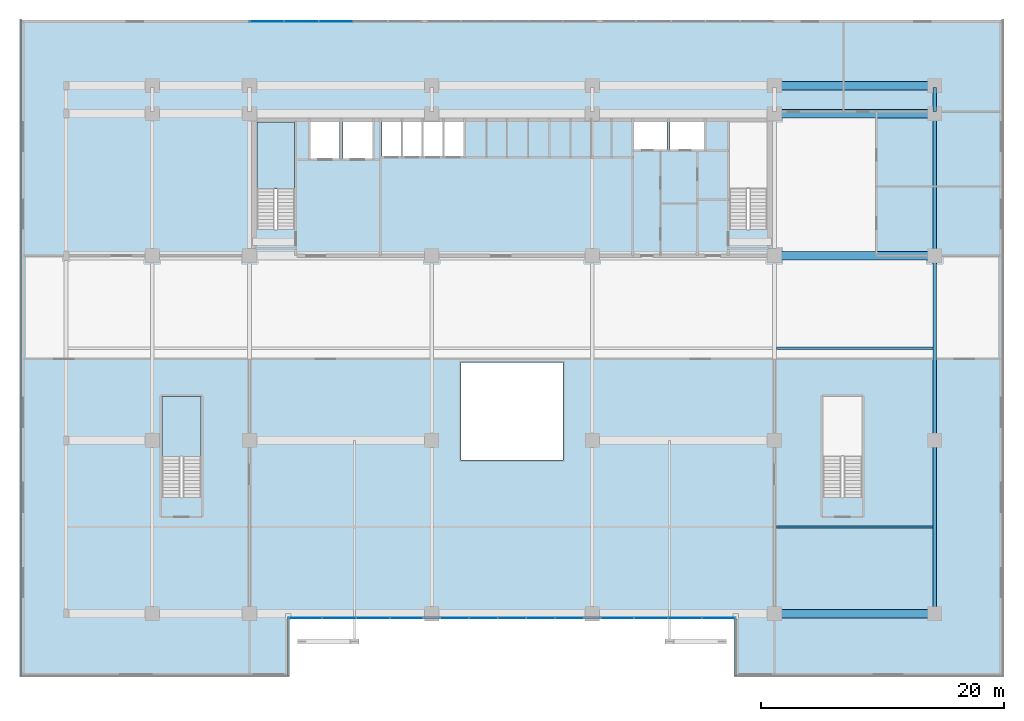
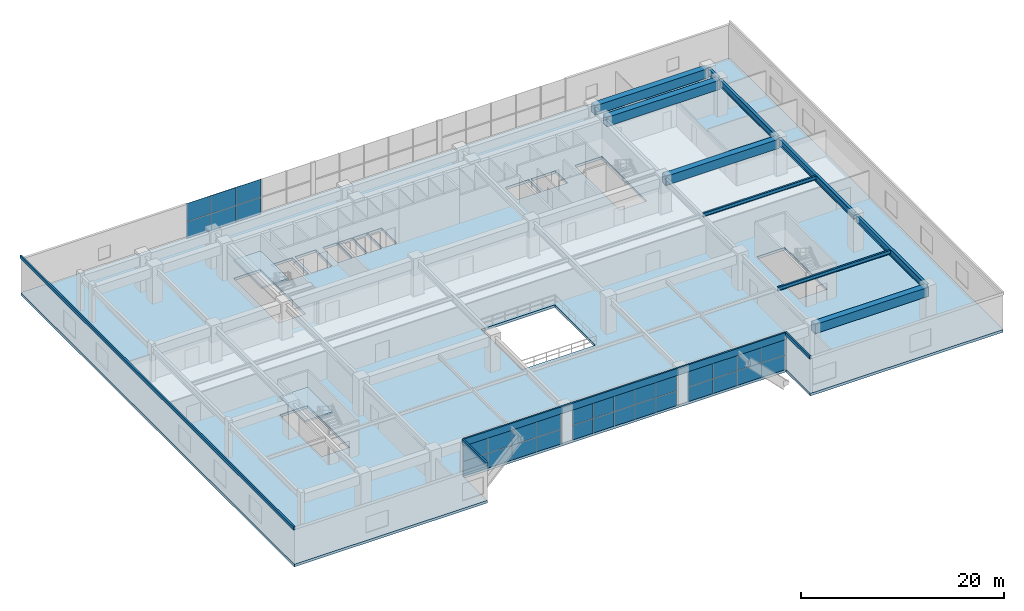
# One storey, part 12 of 24: 36 plates, 10 beams, 3 slabs, 6 elements without a shape of their own.
"""IFC4 building model written with IfcOpenShell, lengths in metres."""

from ifc_helpers import new_model, si_unit, direction, frame, origin, origin_2d, place, context, subcontext, project, spatial, polyline, rectangle, i_section, outline, extrude, source, transform, mapped, material, layer, layer_set, material_profile, profile_set, type_object, element, aggregate, save


model = new_model("IFC4")

# Units and contexts
model_context = context("Model", 3, precision=1e-05, world=origin(), true_north=direction((0.0, 1.0)))
body_context = subcontext(model_context, "Body", "Model", "MODEL_VIEW")
ifc_project = project(units=[si_unit("LENGTHUNIT", "METRE"), si_unit("AREAUNIT", "SQUARE_METRE"), si_unit("VOLUMEUNIT", "CUBIC_METRE"), si_unit("PLANEANGLEUNIT", "RADIAN"), si_unit("MASSUNIT", "GRAM", prefix="KILO")], contexts=[model_context])

# Site, building, storey
site_placement = place(None, origin())
site = spatial("IfcSite", under=ifc_project, at=site_placement, CompositionType="ELEMENT")
building_placement = place(site_placement, origin())
building = spatial("IfcBuilding", under=site, at=building_placement, Name="Trelvane Seafront Commons", CompositionType="ELEMENT")
storey_placement = place(building_placement, frame((0.0, 0.0, 5.199951171875)))
storey = spatial("IfcBuildingStorey", under=building, at=storey_placement, Name="L01", CompositionType="ELEMENT", Elevation=5.199951171875)

# Beams
ifc_material_1 = material(Name="Concrete C50/60", Category="concrete")
ifc_material_profile_1 = material_profile(ifc_material_1, rectangle(XDim=0.699951171875, YDim=1.10009765625, at=origin_2d()), Name="RC-700x1100")
ifc_profile_set_1 = profile_set([ifc_material_profile_1], Name="Concrete C50/60")
beam_type_1 = type_object("IfcBeamType", Name="STR-TBM-RC700x1100", PredefinedType="T_BEAM", material=ifc_profile_set_1)
shared_shape_1 = source(origin(), body_context, "Body", "SweptSolid", [
    extrude(rectangle(XDim=0.699951171875, YDim=1.10009765625, at=origin_2d()), origin(), (0.0, 0.0, 1.0), 12.900146484375),
])
for number, where, z_axis, x_axis, name in (
    (1, (58.949951171875, 3.949951171875, 3.650146484375), (1.0, 0.0, 0.0), (0.0, 1.0, 0.0), "L01 Primary Girder G-06"),
    (2, (58.949951171875, 33.39990234375, 3.650146484375), (1.0, 0.0, 0.0), (0.0, 1.0, 0.0), "L01 Primary Girder G-18"),
    (3, (58.949951171875, 45.10009765625, 3.650146484375), (1.0, 0.0, 0.0), (0.0, 1.0, 0.0), "L01 Primary Girder G-24"),
    (4, (58.949951171875, 47.39990234375, 3.650146484375), (1.0, 0.0, 0.0), (0.0, 1.0, 0.0), "L01 Primary Girder G-30"),
):
    element("IfcBeam", number, at=place(storey_placement, frame(where, z_axis=z_axis, x_axis=x_axis)), inside=storey, type_object=beam_type_1, Name=name, PredefinedType="T_BEAM", context=body_context, shape_type="MappedRepresentation", body=[
        mapped(shared_shape_1, transform((0.0, 0.0, 0.0), x_axis=(1.0, 0.0, 0.0), y_axis=(0.0, 1.0, 0.0), z_axis=(0.0, 0.0, 1.0), scale=1.0)),
    ])
ifc_material_2 = material(Name="Steel SM355 (S355)", Category="steel")
ifc_material_profile_2 = material_profile(ifc_material_2, i_section(OverallWidth=0.300048828125, OverallDepth=0.800048828125, WebThickness=0.013916015625, FlangeThickness=0.02587890625, at=origin_2d()), Name="H-800x300x14x26")
ifc_profile_set_2 = profile_set([ifc_material_profile_2], Name="Steel SM355 (S355)")
beam_type_2 = type_object("IfcBeamType", Name="STR-BM-H800", PredefinedType="BEAM", material=ifc_profile_set_2)
shared_shape_2 = source(origin(), body_context, "Body", "SweptSolid", [
    extrude(i_section(OverallWidth=0.300048828125, OverallDepth=0.800048828125, WebThickness=0.013916015625, FlangeThickness=0.02587890625, at=origin_2d()), origin(), (0.0, 0.0, 1.0), 13.949951171875),
])
beam_1_placement = place(storey_placement, frame((72.0, 4.10009765625, 3.800048828125), z_axis=(0.0, 1.0, 0.0), x_axis=(-1.0, 0.0, 0.0)))
element("IfcBeam", 5, at=beam_1_placement, inside=storey, type_object=beam_type_2, Name="L01 Primary Girder G-55", PredefinedType="BEAM", context=body_context, shape_type="MappedRepresentation", body=[
    mapped(shared_shape_2, transform((0.0, 0.0, 0.0), x_axis=(1.0, 0.0, 0.0), y_axis=(0.0, 1.0, 0.0), z_axis=(0.0, 0.0, 1.0), scale=1.0)),
])
shared_shape_3 = source(origin(), body_context, "Body", "SweptSolid", [
    extrude(i_section(OverallWidth=0.300048828125, OverallDepth=0.800048828125, WebThickness=0.013916015625, FlangeThickness=0.02587890625, at=origin_2d()), origin(), (0.0, 0.0, 1.0), 14.89990234375),
])
beam_2_placement = place(storey_placement, frame((72.0, 18.35009765625, 3.800048828125), z_axis=(0.0, 1.0, 0.0), x_axis=(-1.0, 0.0, 0.0)))
element("IfcBeam", 6, at=beam_2_placement, inside=storey, type_object=beam_type_2, Name="L01 Primary Girder G-56", PredefinedType="BEAM", context=body_context, shape_type="MappedRepresentation", body=[
    mapped(shared_shape_3, transform((0.0, 0.0, 0.0), x_axis=(1.0, 0.0, 0.0), y_axis=(0.0, 1.0, 0.0), z_axis=(0.0, 0.0, 1.0), scale=1.0)),
])
shared_shape_4 = source(origin(), body_context, "Body", "SweptSolid", [
    extrude(i_section(OverallWidth=0.300048828125, OverallDepth=0.800048828125, WebThickness=0.013916015625, FlangeThickness=0.02587890625, at=origin_2d()), origin(), (0.0, 0.0, 1.0), 11.39990234375),
])
beam_3_placement = place(storey_placement, frame((72.0, 33.550048828125, 3.800048828125), z_axis=(0.0, 1.0, 0.0), x_axis=(-1.0, 0.0, 0.0)))
element("IfcBeam", 7, at=beam_3_placement, inside=storey, type_object=beam_type_2, Name="L01 Primary Girder G-57", PredefinedType="BEAM", context=body_context, shape_type="MappedRepresentation", body=[
    mapped(shared_shape_4, transform((0.0, 0.0, 0.0), x_axis=(1.0, 0.0, 0.0), y_axis=(0.0, 1.0, 0.0), z_axis=(0.0, 0.0, 1.0), scale=1.0)),
])
shared_shape_5 = source(origin(), body_context, "Body", "SweptSolid", [
    extrude(i_section(OverallWidth=0.300048828125, OverallDepth=0.800048828125, WebThickness=0.013916015625, FlangeThickness=0.02587890625, at=origin_2d()), origin(), (0.0, 0.0, 1.0), 2.0),
])
beam_4_placement = place(storey_placement, frame((72.0, 45.25, 3.800048828125), z_axis=(0.0, 1.0, 0.0), x_axis=(-1.0, 0.0, 0.0)))
element("IfcBeam", 8, at=beam_4_placement, inside=storey, type_object=beam_type_2, Name="L01 Primary Girder G-58", PredefinedType="BEAM", context=body_context, shape_type="MappedRepresentation", body=[
    mapped(shared_shape_5, transform((0.0, 0.0, 0.0), x_axis=(1.0, 0.0, 0.0), y_axis=(0.0, 1.0, 0.0), z_axis=(0.0, 0.0, 1.0), scale=1.0)),
])
ifc_material_profile_3 = material_profile(ifc_material_2, i_section(OverallWidth=0.199951171875, OverallDepth=0.449951171875, WebThickness=0.009033203125, FlangeThickness=0.013916015625, at=origin_2d()), Name="H-450x200x9x14")
ifc_profile_set_3 = profile_set([ifc_material_profile_3], Name="Steel SM355 (S355)")
beam_type_3 = type_object("IfcBeamType", Name="STR-JST-H450", PredefinedType="JOIST", material=ifc_profile_set_3)
shared_shape_6 = source(origin(), body_context, "Body", "SweptSolid", [
    extrude(i_section(OverallWidth=0.199951171875, OverallDepth=0.449951171875, WebThickness=0.009033203125, FlangeThickness=0.013916015625, at=origin_2d()), origin(), (0.0, 0.0, 1.0), 12.900146484375),
])
for number, where, z_axis, x_axis, name in (
    (9, (58.949951171875, 11.074951171875, 3.97509765625), (1.0, 0.0, 0.0), (0.0, 1.0, 0.0), "L01 Secondary Floor Joist B-64"),
    (10, (58.949951171875, 25.800048828125, 3.97509765625), (1.0, 0.0, 0.0), (0.0, 1.0, 0.0), "L01 Secondary Floor Joist B-70"),
):
    element("IfcBeam", number, at=place(storey_placement, frame(where, z_axis=z_axis, x_axis=x_axis)), inside=storey, type_object=beam_type_3, Name=name, PredefinedType="JOIST", context=body_context, shape_type="MappedRepresentation", body=[
        mapped(shared_shape_6, transform((0.0, 0.0, 0.0), x_axis=(1.0, 0.0, 0.0), y_axis=(0.0, 1.0, 0.0), z_axis=(0.0, 0.0, 1.0), scale=1.0)),
    ])

# Stair, slab
ifc_material_3 = material(Name="Concrete C40/50", Category="concrete")
stair_type_1 = type_object("IfcStairType", Name="ARCH-STR-ST-1-R26-173", PredefinedType="HALF_TURN_STAIR", material=ifc_material_3)
stair_1_placement = place(storey_placement, origin())
stair_1 = element("IfcStair", 11, at=stair_1_placement, inside=storey, type_object=stair_type_1, Name="L01 West Protected Firefighting Exit Stair ST-1", PredefinedType="HALF_TURN_STAIR")
ifc_layer_1 = layer(ifc_material_3, 0.199951171875, Name="ARCH-LND-200")
ifc_layer_set_1 = layer_set([ifc_layer_1], Name="Concrete C40/50")
slab_type_1 = type_object("IfcSlabType", Name="ARCH-LND-200", PredefinedType="LANDING", material=ifc_layer_set_1)
slab_1_placement = place(storey_placement, frame((0.0, 0.0, 2.050048828125)))
slab_1 = element("IfcSlab", 12, at=slab_1_placement, type_object=slab_type_1, Name="ST-1 landing 1", PredefinedType="LANDING", context=body_context, shape_type="SweptSolid", body=[
    extrude(outline(polyline([(19.300048828125, 38.909912109375), (19.300048828125, 44.39990234375), (16.199951171875, 44.39990234375), (16.199951171875, 38.909912109375), (19.300048828125, 38.909912109375)])), origin(), (0.0, 0.0, 1.0), 0.199951171875),
])
aggregate(stair_1, [slab_1])

stair_type_2 = type_object("IfcStairType", Name="ARCH-STR-ST-3-R26-173", PredefinedType="HALF_TURN_STAIR", material=ifc_material_3)
stair_2_placement = place(storey_placement, origin())
stair_2 = element("IfcStair", 13, at=stair_2_placement, inside=storey, type_object=stair_type_2, Name="L01 Podium Commons West Promenade Stair ST-3", PredefinedType="HALF_TURN_STAIR")
slab_2_placement = place(storey_placement, frame((0.0, 0.0, 2.050048828125)))
slab_2 = element("IfcSlab", 14, at=slab_2_placement, type_object=slab_type_1, Name="ST-3 landing 1", PredefinedType="LANDING", context=body_context, shape_type="SweptSolid", body=[
    extrude(outline(polyline([(11.60009765625, 16.860107421875), (11.60009765625, 21.800048828125), (8.39990234375, 21.800048828125), (8.39990234375, 16.860107421875), (11.60009765625, 16.860107421875)])), origin(), (0.0, 0.0, 1.0), 0.199951171875),
])
aggregate(stair_2, [slab_2])

# Slab
ifc_layer_2 = layer(ifc_material_1, 0.300048828125, Name="STR-SLB-P300")
ifc_layer_set_2 = layer_set([ifc_layer_2], Name="Concrete C50/60")
slab_type_2 = type_object("IfcSlabType", Name="STR-SLB-P300", PredefinedType="FLOOR", material=ifc_layer_set_2)
slab_3_placement = place(storey_placement, frame((0.0, 0.0, -0.320068359375)))
element("IfcSlab", 15, at=slab_3_placement, inside=storey, type_object=slab_type_2, Name="L01 Structural Floor Slab", PredefinedType="FLOOR", context=body_context, shape_type="SweptSolid", body=[
    extrude(outline(polyline([(-3.199951171875, -1.199951171875), (18.800048828125, -1.199951171875), (18.800048828125, 3.60009765625), (55.60009765625, 3.60009765625), (55.60009765625, -1.199951171875), (77.60009765625, -1.199951171875), (77.60009765625, 52.800048828125), (-3.199951171875, 52.800048828125), (-3.199951171875, -1.199951171875)]), holes=[polyline([(11.60009765625, 13.5), (8.39990234375, 13.5), (8.39990234375, 21.800048828125), (11.60009765625, 21.800048828125), (11.60009765625, 13.5)]), polyline([(16.199951171875, 35.550048828125), (16.199951171875, 44.39990234375), (19.300048828125, 44.39990234375), (19.300048828125, 35.550048828125), (16.199951171875, 35.550048828125)]), polyline([(20.60009765625, 41.39990234375), (20.60009765625, 44.60009765625), (23.0, 44.60009765625), (23.0, 41.39990234375), (20.60009765625, 41.39990234375)]), polyline([(25.699951171875, 41.39990234375), (23.300048828125, 41.39990234375), (23.300048828125, 44.60009765625), (25.699951171875, 44.60009765625), (25.699951171875, 41.39990234375)]), polyline([(26.5, 41.60009765625), (26.5, 44.60009765625), (28.1201171875, 44.60009765625), (28.1201171875, 41.60009765625), (26.5, 41.60009765625)]), polyline([(28.199951171875, 41.60009765625), (28.199951171875, 44.60009765625), (29.820068359375, 44.60009765625), (29.820068359375, 41.60009765625), (28.199951171875, 41.60009765625)]), polyline([(31.52001953125, 41.60009765625), (29.89990234375, 41.60009765625), (29.89990234375, 44.60009765625), (31.52001953125, 44.60009765625), (31.52001953125, 41.60009765625)]), polyline([(62.800048828125, 13.5), (62.800048828125, 21.800048828125), (66.0, 21.800048828125), (66.0, 13.5), (62.800048828125, 13.5)]), polyline([(33.0, 16.60009765625), (33.0, 24.60009765625), (41.39990234375, 24.60009765625), (41.39990234375, 16.60009765625), (33.0, 16.60009765625)]), polyline([(55.10009765625, 35.550048828125), (55.10009765625, 44.39990234375), (58.199951171875, 44.39990234375), (58.199951171875, 35.550048828125), (55.10009765625, 35.550048828125)]), polyline([(31.60009765625, 41.60009765625), (31.60009765625, 44.60009765625), (33.219970703125, 44.60009765625), (33.219970703125, 41.60009765625), (31.60009765625, 41.60009765625)]), polyline([(47.25, 42.14990234375), (47.25, 44.550048828125), (49.949951171875, 44.550048828125), (49.949951171875, 42.14990234375), (47.25, 42.14990234375)]), polyline([(50.199951171875, 42.14990234375), (50.199951171875, 44.550048828125), (53.0, 44.550048828125), (53.0, 42.14990234375), (50.199951171875, 42.14990234375)])]), origin(), (0.0, 0.0, 1.0), 0.320068359375),
])

# Curtain wall, plates
ifc_material_4 = material(Name="Anodised pale-silver aluminium", Category="aluminium")
curtain_wall_type = type_object("IfcCurtainWallType", Name="ARCH-CW1-PODIUM", PredefinedType="NOTDEFINED", material=ifc_material_4)
curtain_wall_1_placement = place(storey_placement, origin())
curtain_wall_1 = element("IfcCurtainWall", 16, at=curtain_wall_1_placement, inside=storey, type_object=curtain_wall_type, Name="CW-L01-0007", PredefinedType="NOTDEFINED")
ifc_material_5 = material(Name="Low-E coastal double glazing", Category="glass")
ifc_layer_3 = layer(ifc_material_5, 0.033935546875, Name="ARCH-CW-GLAZ-34")
ifc_layer_set_3 = layer_set([ifc_layer_3], Name="Low-E coastal double glazing")
plate_type_1 = type_object("IfcPlateType", Name="ARCH-CW-GLAZ-34", PredefinedType="CURTAIN_PANEL", material=ifc_layer_set_3)
shared_shape_7 = source(origin(), body_context, "Body", "SweptSolid", [
    extrude(rectangle(XDim=2.81591796875, YDim=0.035888671875, at=origin_2d()), origin(), (0.0, 0.0, 1.0), 1.998046875),
])
plate_1_placement = place(storey_placement, frame((17.02001953125, 52.669921875, 0.0), z_axis=(0.0, 0.0, 1.0), x_axis=(1.0, 0.0, 0.0)))
plate_1 = element("IfcPlate", 17, at=plate_1_placement, type_object=plate_type_1, Name="CW-L01-0007-P00-1", PredefinedType="CURTAIN_PANEL", context=body_context, shape_type="MappedRepresentation", body=[
    mapped(shared_shape_7, transform((0.0, 0.0, 0.0), x_axis=(1.0, 0.0, 0.0), y_axis=(0.0, 1.0, 0.0), z_axis=(0.0, 0.0, 1.0), scale=1.0)),
])
plate_2_placement = place(storey_placement, frame((19.860107421875, 52.669921875, 0.0), z_axis=(0.0, 0.0, 1.0), x_axis=(1.0, 0.0, 0.0)))
plate_2 = element("IfcPlate", 18, at=plate_2_placement, type_object=plate_type_1, Name="CW-L01-0007-P01-1", PredefinedType="CURTAIN_PANEL", context=body_context, shape_type="MappedRepresentation", body=[
    mapped(shared_shape_7, transform((0.0, 0.0, 0.0), x_axis=(1.0, 0.0, 0.0), y_axis=(0.0, 1.0, 0.0), z_axis=(0.0, 0.0, 1.0), scale=1.0)),
])
plate_3_placement = place(storey_placement, frame((22.699951171875, 52.669921875, 0.0), z_axis=(0.0, 0.0, 1.0), x_axis=(1.0, 0.0, 0.0)))
plate_3 = element("IfcPlate", 19, at=plate_3_placement, type_object=plate_type_1, Name="CW-L01-0007-P02-1", PredefinedType="CURTAIN_PANEL", context=body_context, shape_type="MappedRepresentation", body=[
    mapped(shared_shape_7, transform((0.0, 0.0, 0.0), x_axis=(1.0, 0.0, 0.0), y_axis=(0.0, 1.0, 0.0), z_axis=(0.0, 0.0, 1.0), scale=1.0)),
])
shared_shape_8 = source(origin(), body_context, "Body", "SweptSolid", [
    extrude(rectangle(XDim=2.81591796875, YDim=0.035888671875, at=origin_2d()), origin(), (0.0, 0.0, 1.0), 2.166015625),
])
plate_4_placement = place(storey_placement, frame((17.02001953125, 52.669921875, 2.033935546875), z_axis=(0.0, 0.0, 1.0), x_axis=(1.0, 0.0, 0.0)))
plate_4 = element("IfcPlate", 20, at=plate_4_placement, type_object=plate_type_1, Name="CW-L01-0007-P00-2", PredefinedType="CURTAIN_PANEL", context=body_context, shape_type="MappedRepresentation", body=[
    mapped(shared_shape_8, transform((0.0, 0.0, 0.0), x_axis=(1.0, 0.0, 0.0), y_axis=(0.0, 1.0, 0.0), z_axis=(0.0, 0.0, 1.0), scale=1.0)),
])
plate_5_placement = place(storey_placement, frame((19.860107421875, 52.669921875, 2.033935546875), z_axis=(0.0, 0.0, 1.0), x_axis=(1.0, 0.0, 0.0)))
plate_5 = element("IfcPlate", 21, at=plate_5_placement, type_object=plate_type_1, Name="CW-L01-0007-P01-2", PredefinedType="CURTAIN_PANEL", context=body_context, shape_type="MappedRepresentation", body=[
    mapped(shared_shape_8, transform((0.0, 0.0, 0.0), x_axis=(1.0, 0.0, 0.0), y_axis=(0.0, 1.0, 0.0), z_axis=(0.0, 0.0, 1.0), scale=1.0)),
])
plate_6_placement = place(storey_placement, frame((22.699951171875, 52.669921875, 2.033935546875), z_axis=(0.0, 0.0, 1.0), x_axis=(1.0, 0.0, 0.0)))
plate_6 = element("IfcPlate", 22, at=plate_6_placement, type_object=plate_type_1, Name="CW-L01-0007-P02-2", PredefinedType="CURTAIN_PANEL", context=body_context, shape_type="MappedRepresentation", body=[
    mapped(shared_shape_8, transform((0.0, 0.0, 0.0), x_axis=(1.0, 0.0, 0.0), y_axis=(0.0, 1.0, 0.0), z_axis=(0.0, 0.0, 1.0), scale=1.0)),
])
aggregate(curtain_wall_1, [plate_1, plate_4, plate_2, plate_5, plate_3, plate_6])

# Plates
ifc_layer_4 = layer(ifc_material_4, 0.179931640625, Name="ARCH-PLATE-AERO")
ifc_layer_set_4 = layer_set([ifc_layer_4], Name="Anodised pale-silver aluminium")
plate_type_2 = type_object("IfcPlateType", Name="ARCH-PLATE-AERO", PredefinedType="SHEET", material=ifc_layer_set_4)
shared_shape_9 = source(origin(), body_context, "Body", "SweptSolid", [
    extrude(rectangle(XDim=54.0, YDim=0.179931640625, at=origin_2d()), origin(), (0.0, 0.0, 1.0), 0.3798828125),
])
plate_7_placement = place(storey_placement, frame((-3.199951171875, 25.800048828125, 4.14013671875), z_axis=(0.0, 0.0, 1.0), x_axis=(0.0, 1.0, 0.0)))
element("IfcPlate", 23, at=plate_7_placement, inside=storey, type_object=plate_type_2, Name="AER-L01-00006", PredefinedType="SHEET", context=body_context, shape_type="MappedRepresentation", body=[
    mapped(shared_shape_9, transform((0.0, 0.0, 0.0), x_axis=(1.0, 0.0, 0.0), y_axis=(0.0, 1.0, 0.0), z_axis=(0.0, 0.0, 1.0), scale=1.0)),
])
shared_shape_10 = source(origin(), body_context, "Body", "SweptSolid", [
    extrude(rectangle(XDim=4.800048828125, YDim=0.179931640625, at=origin_2d()), origin(), (0.0, 0.0, 1.0), 0.3798828125),
])
for number, where, z_axis, x_axis, name in (
    (24, (55.60009765625, 1.199951171875, 4.14013671875), (0.0, 0.0, 1.0), (0.0, 1.0, 0.0), "AER-L01-00003"),
    (25, (18.800048828125, 1.199951171875, 4.14013671875), (0.0, 0.0, 1.0), (0.0, -1.0, 0.0), "AER-L01-00005"),
):
    element("IfcPlate", number, at=place(storey_placement, frame(where, z_axis=z_axis, x_axis=x_axis)), inside=storey, type_object=plate_type_2, Name=name, PredefinedType="SHEET", context=body_context, shape_type="MappedRepresentation", body=[
        mapped(shared_shape_10, transform((0.0, 0.0, 0.0), x_axis=(1.0, 0.0, 0.0), y_axis=(0.0, 1.0, 0.0), z_axis=(0.0, 0.0, 1.0), scale=1.0)),
    ])

# Curtain wall, plates
curtain_wall_2_placement = place(storey_placement, origin())
curtain_wall_2 = element("IfcCurtainWall", 26, at=curtain_wall_2_placement, inside=storey, type_object=curtain_wall_type, Name="CW-L01-VP-0010", PredefinedType="NOTDEFINED")
shared_shape_11 = source(origin(), body_context, "Body", "SweptSolid", [
    extrude(rectangle(XDim=2.763427734375, YDim=0.035888671875, at=origin_2d()), origin(), (0.0, 0.0, 1.0), 1.748046875),
])
plate_8_placement = place(storey_placement, frame((54.206298828125, 3.60009765625, 0.0), z_axis=(0.0, 0.0, 1.0), x_axis=(-1.0, 0.0, 0.0)))
plate_8 = element("IfcPlate", 27, at=plate_8_placement, type_object=plate_type_1, Name="CW-L01-VP-0010-P00-1", PredefinedType="CURTAIN_PANEL", context=body_context, shape_type="MappedRepresentation", body=[
    mapped(shared_shape_11, transform((0.0, 0.0, 0.0), x_axis=(1.0, 0.0, 0.0), y_axis=(0.0, 1.0, 0.0), z_axis=(0.0, 0.0, 1.0), scale=1.0)),
])
plate_9_placement = place(storey_placement, frame((51.418701171875, 3.60009765625, 0.0), z_axis=(0.0, 0.0, 1.0), x_axis=(-1.0, 0.0, 0.0)))
plate_9 = element("IfcPlate", 28, at=plate_9_placement, type_object=plate_type_1, Name="CW-L01-VP-0010-P01-1", PredefinedType="CURTAIN_PANEL", context=body_context, shape_type="MappedRepresentation", body=[
    mapped(shared_shape_11, transform((0.0, 0.0, 0.0), x_axis=(1.0, 0.0, 0.0), y_axis=(0.0, 1.0, 0.0), z_axis=(0.0, 0.0, 1.0), scale=1.0)),
])
plate_10_placement = place(storey_placement, frame((48.631103515625, 3.60009765625, 0.0), z_axis=(0.0, 0.0, 1.0), x_axis=(-1.0, 0.0, 0.0)))
plate_10 = element("IfcPlate", 29, at=plate_10_placement, type_object=plate_type_1, Name="CW-L01-VP-0010-P02-1", PredefinedType="CURTAIN_PANEL", context=body_context, shape_type="MappedRepresentation", body=[
    mapped(shared_shape_11, transform((0.0, 0.0, 0.0), x_axis=(1.0, 0.0, 0.0), y_axis=(0.0, 1.0, 0.0), z_axis=(0.0, 0.0, 1.0), scale=1.0)),
])
plate_11_placement = place(storey_placement, frame((45.84375, 3.60009765625, 0.0), z_axis=(0.0, 0.0, 1.0), x_axis=(-1.0, 0.0, 0.0)))
plate_11 = element("IfcPlate", 30, at=plate_11_placement, type_object=plate_type_1, Name="CW-L01-VP-0010-P03-1", PredefinedType="CURTAIN_PANEL", context=body_context, shape_type="MappedRepresentation", body=[
    mapped(shared_shape_11, transform((0.0, 0.0, 0.0), x_axis=(1.0, 0.0, 0.0), y_axis=(0.0, 1.0, 0.0), z_axis=(0.0, 0.0, 1.0), scale=1.0)),
])

curtain_wall_3_placement = place(storey_placement, origin())
curtain_wall_3 = element("IfcCurtainWall", 31, at=curtain_wall_3_placement, inside=storey, type_object=curtain_wall_type, Name="CW-L01-VP-0012", PredefinedType="NOTDEFINED")
plate_12_placement = place(storey_placement, frame((28.55615234375, 3.60009765625, 0.0), z_axis=(0.0, 0.0, 1.0), x_axis=(-1.0, 0.0, 0.0)))
plate_12 = element("IfcPlate", 32, at=plate_12_placement, type_object=plate_type_1, Name="CW-L01-VP-0012-P00-1", PredefinedType="CURTAIN_PANEL", context=body_context, shape_type="MappedRepresentation", body=[
    mapped(shared_shape_11, transform((0.0, 0.0, 0.0), x_axis=(1.0, 0.0, 0.0), y_axis=(0.0, 1.0, 0.0), z_axis=(0.0, 0.0, 1.0), scale=1.0)),
])
plate_13_placement = place(storey_placement, frame((25.768798828125, 3.60009765625, 0.0), z_axis=(0.0, 0.0, 1.0), x_axis=(-1.0, 0.0, 0.0)))
plate_13 = element("IfcPlate", 33, at=plate_13_placement, type_object=plate_type_1, Name="CW-L01-VP-0012-P01-1", PredefinedType="CURTAIN_PANEL", context=body_context, shape_type="MappedRepresentation", body=[
    mapped(shared_shape_11, transform((0.0, 0.0, 0.0), x_axis=(1.0, 0.0, 0.0), y_axis=(0.0, 1.0, 0.0), z_axis=(0.0, 0.0, 1.0), scale=1.0)),
])
plate_14_placement = place(storey_placement, frame((22.981201171875, 3.60009765625, 0.0), z_axis=(0.0, 0.0, 1.0), x_axis=(-1.0, 0.0, 0.0)))
plate_14 = element("IfcPlate", 34, at=plate_14_placement, type_object=plate_type_1, Name="CW-L01-VP-0012-P02-1", PredefinedType="CURTAIN_PANEL", context=body_context, shape_type="MappedRepresentation", body=[
    mapped(shared_shape_11, transform((0.0, 0.0, 0.0), x_axis=(1.0, 0.0, 0.0), y_axis=(0.0, 1.0, 0.0), z_axis=(0.0, 0.0, 1.0), scale=1.0)),
])
plate_15_placement = place(storey_placement, frame((20.19384765625, 3.60009765625, 0.0), z_axis=(0.0, 0.0, 1.0), x_axis=(-1.0, 0.0, 0.0)))
plate_15 = element("IfcPlate", 35, at=plate_15_placement, type_object=plate_type_1, Name="CW-L01-VP-0012-P03-1", PredefinedType="CURTAIN_PANEL", context=body_context, shape_type="MappedRepresentation", body=[
    mapped(shared_shape_11, transform((0.0, 0.0, 0.0), x_axis=(1.0, 0.0, 0.0), y_axis=(0.0, 1.0, 0.0), z_axis=(0.0, 0.0, 1.0), scale=1.0)),
])

# Plate
shared_shape_12 = source(origin(), body_context, "Body", "SweptSolid", [
    extrude(rectangle(XDim=2.763427734375, YDim=0.035888671875, at=origin_2d()), origin(), (0.0, 0.0, 1.0), 1.89599609375),
])
plate_16_placement = place(storey_placement, frame((54.206298828125, 3.60009765625, 1.783935546875), z_axis=(0.0, 0.0, 1.0), x_axis=(-1.0, 0.0, 0.0)))
plate_16 = element("IfcPlate", 36, at=plate_16_placement, type_object=plate_type_1, Name="CW-L01-VP-0010-P00-2", PredefinedType="CURTAIN_PANEL", context=body_context, shape_type="MappedRepresentation", body=[
    mapped(shared_shape_12, transform((0.0, 0.0, 0.0), x_axis=(1.0, 0.0, 0.0), y_axis=(0.0, 1.0, 0.0), z_axis=(0.0, 0.0, 1.0), scale=1.0)),
])

plate_17_placement = place(storey_placement, frame((51.418701171875, 3.60009765625, 1.783935546875), z_axis=(0.0, 0.0, 1.0), x_axis=(-1.0, 0.0, 0.0)))
plate_17 = element("IfcPlate", 37, at=plate_17_placement, type_object=plate_type_1, Name="CW-L01-VP-0010-P01-2", PredefinedType="CURTAIN_PANEL", context=body_context, shape_type="MappedRepresentation", body=[
    mapped(shared_shape_12, transform((0.0, 0.0, 0.0), x_axis=(1.0, 0.0, 0.0), y_axis=(0.0, 1.0, 0.0), z_axis=(0.0, 0.0, 1.0), scale=1.0)),
])

plate_18_placement = place(storey_placement, frame((48.631103515625, 3.60009765625, 1.783935546875), z_axis=(0.0, 0.0, 1.0), x_axis=(-1.0, 0.0, 0.0)))
plate_18 = element("IfcPlate", 38, at=plate_18_placement, type_object=plate_type_1, Name="CW-L01-VP-0010-P02-2", PredefinedType="CURTAIN_PANEL", context=body_context, shape_type="MappedRepresentation", body=[
    mapped(shared_shape_12, transform((0.0, 0.0, 0.0), x_axis=(1.0, 0.0, 0.0), y_axis=(0.0, 1.0, 0.0), z_axis=(0.0, 0.0, 1.0), scale=1.0)),
])

plate_19_placement = place(storey_placement, frame((45.84375, 3.60009765625, 1.783935546875), z_axis=(0.0, 0.0, 1.0), x_axis=(-1.0, 0.0, 0.0)))
plate_19 = element("IfcPlate", 39, at=plate_19_placement, type_object=plate_type_1, Name="CW-L01-VP-0010-P03-2", PredefinedType="CURTAIN_PANEL", context=body_context, shape_type="MappedRepresentation", body=[
    mapped(shared_shape_12, transform((0.0, 0.0, 0.0), x_axis=(1.0, 0.0, 0.0), y_axis=(0.0, 1.0, 0.0), z_axis=(0.0, 0.0, 1.0), scale=1.0)),
])

aggregate(curtain_wall_2, [plate_8, plate_16, plate_9, plate_17, plate_10, plate_18, plate_11, plate_19])

plate_20_placement = place(storey_placement, frame((28.55615234375, 3.60009765625, 1.783935546875), z_axis=(0.0, 0.0, 1.0), x_axis=(-1.0, 0.0, 0.0)))
plate_20 = element("IfcPlate", 40, at=plate_20_placement, type_object=plate_type_1, Name="CW-L01-VP-0012-P00-2", PredefinedType="CURTAIN_PANEL", context=body_context, shape_type="MappedRepresentation", body=[
    mapped(shared_shape_12, transform((0.0, 0.0, 0.0), x_axis=(1.0, 0.0, 0.0), y_axis=(0.0, 1.0, 0.0), z_axis=(0.0, 0.0, 1.0), scale=1.0)),
])

plate_21_placement = place(storey_placement, frame((25.768798828125, 3.60009765625, 1.783935546875), z_axis=(0.0, 0.0, 1.0), x_axis=(-1.0, 0.0, 0.0)))
plate_21 = element("IfcPlate", 41, at=plate_21_placement, type_object=plate_type_1, Name="CW-L01-VP-0012-P01-2", PredefinedType="CURTAIN_PANEL", context=body_context, shape_type="MappedRepresentation", body=[
    mapped(shared_shape_12, transform((0.0, 0.0, 0.0), x_axis=(1.0, 0.0, 0.0), y_axis=(0.0, 1.0, 0.0), z_axis=(0.0, 0.0, 1.0), scale=1.0)),
])

plate_22_placement = place(storey_placement, frame((22.981201171875, 3.60009765625, 1.783935546875), z_axis=(0.0, 0.0, 1.0), x_axis=(-1.0, 0.0, 0.0)))
plate_22 = element("IfcPlate", 42, at=plate_22_placement, type_object=plate_type_1, Name="CW-L01-VP-0012-P02-2", PredefinedType="CURTAIN_PANEL", context=body_context, shape_type="MappedRepresentation", body=[
    mapped(shared_shape_12, transform((0.0, 0.0, 0.0), x_axis=(1.0, 0.0, 0.0), y_axis=(0.0, 1.0, 0.0), z_axis=(0.0, 0.0, 1.0), scale=1.0)),
])

plate_23_placement = place(storey_placement, frame((20.19384765625, 3.60009765625, 1.783935546875), z_axis=(0.0, 0.0, 1.0), x_axis=(-1.0, 0.0, 0.0)))
plate_23 = element("IfcPlate", 43, at=plate_23_placement, type_object=plate_type_1, Name="CW-L01-VP-0012-P03-2", PredefinedType="CURTAIN_PANEL", context=body_context, shape_type="MappedRepresentation", body=[
    mapped(shared_shape_12, transform((0.0, 0.0, 0.0), x_axis=(1.0, 0.0, 0.0), y_axis=(0.0, 1.0, 0.0), z_axis=(0.0, 0.0, 1.0), scale=1.0)),
])

aggregate(curtain_wall_3, [plate_12, plate_20, plate_13, plate_21, plate_14, plate_22, plate_15, plate_23])

# Curtain wall, plates
curtain_wall_4_placement = place(storey_placement, origin())
curtain_wall_4 = element("IfcCurtainWall", 44, at=curtain_wall_4_placement, inside=storey, type_object=curtain_wall_type, Name="CW-L01-VP-0011", PredefinedType="NOTDEFINED")
shared_shape_13 = source(origin(), body_context, "Body", "SweptSolid", [
    extrude(rectangle(XDim=2.35595703125, YDim=0.035888671875, at=origin_2d()), origin(), (0.0, 0.0, 1.0), 1.748046875),
])
plate_24_placement = place(storey_placement, frame((41.9599609375, 3.60009765625, 0.0), z_axis=(0.0, 0.0, 1.0), x_axis=(-1.0, 0.0, 0.0)))
plate_24 = element("IfcPlate", 45, at=plate_24_placement, type_object=plate_type_1, Name="CW-L01-VP-0011-P00-1", PredefinedType="CURTAIN_PANEL", context=body_context, shape_type="MappedRepresentation", body=[
    mapped(shared_shape_13, transform((0.0, 0.0, 0.0), x_axis=(1.0, 0.0, 0.0), y_axis=(0.0, 1.0, 0.0), z_axis=(0.0, 0.0, 1.0), scale=1.0)),
])
plate_25_placement = place(storey_placement, frame((39.580078125, 3.60009765625, 0.0), z_axis=(0.0, 0.0, 1.0), x_axis=(-1.0, 0.0, 0.0)))
plate_25 = element("IfcPlate", 46, at=plate_25_placement, type_object=plate_type_1, Name="CW-L01-VP-0011-P01-1", PredefinedType="CURTAIN_PANEL", context=body_context, shape_type="MappedRepresentation", body=[
    mapped(shared_shape_13, transform((0.0, 0.0, 0.0), x_axis=(1.0, 0.0, 0.0), y_axis=(0.0, 1.0, 0.0), z_axis=(0.0, 0.0, 1.0), scale=1.0)),
])
plate_26_placement = place(storey_placement, frame((37.199951171875, 3.60009765625, 0.0), z_axis=(0.0, 0.0, 1.0), x_axis=(-1.0, 0.0, 0.0)))
plate_26 = element("IfcPlate", 47, at=plate_26_placement, type_object=plate_type_1, Name="CW-L01-VP-0011-P02-1", PredefinedType="CURTAIN_PANEL", context=body_context, shape_type="MappedRepresentation", body=[
    mapped(shared_shape_13, transform((0.0, 0.0, 0.0), x_axis=(1.0, 0.0, 0.0), y_axis=(0.0, 1.0, 0.0), z_axis=(0.0, 0.0, 1.0), scale=1.0)),
])
plate_27_placement = place(storey_placement, frame((34.820068359375, 3.60009765625, 0.0), z_axis=(0.0, 0.0, 1.0), x_axis=(-1.0, 0.0, 0.0)))
plate_27 = element("IfcPlate", 48, at=plate_27_placement, type_object=plate_type_1, Name="CW-L01-VP-0011-P03-1", PredefinedType="CURTAIN_PANEL", context=body_context, shape_type="MappedRepresentation", body=[
    mapped(shared_shape_13, transform((0.0, 0.0, 0.0), x_axis=(1.0, 0.0, 0.0), y_axis=(0.0, 1.0, 0.0), z_axis=(0.0, 0.0, 1.0), scale=1.0)),
])
plate_28_placement = place(storey_placement, frame((32.43994140625, 3.60009765625, 0.0), z_axis=(0.0, 0.0, 1.0), x_axis=(-1.0, 0.0, 0.0)))
plate_28 = element("IfcPlate", 49, at=plate_28_placement, type_object=plate_type_1, Name="CW-L01-VP-0011-P04-1", PredefinedType="CURTAIN_PANEL", context=body_context, shape_type="MappedRepresentation", body=[
    mapped(shared_shape_13, transform((0.0, 0.0, 0.0), x_axis=(1.0, 0.0, 0.0), y_axis=(0.0, 1.0, 0.0), z_axis=(0.0, 0.0, 1.0), scale=1.0)),
])
shared_shape_14 = source(origin(), body_context, "Body", "SweptSolid", [
    extrude(rectangle(XDim=2.35595703125, YDim=0.035888671875, at=origin_2d()), origin(), (0.0, 0.0, 1.0), 1.89599609375),
])
plate_29_placement = place(storey_placement, frame((41.9599609375, 3.60009765625, 1.783935546875), z_axis=(0.0, 0.0, 1.0), x_axis=(-1.0, 0.0, 0.0)))
plate_29 = element("IfcPlate", 50, at=plate_29_placement, type_object=plate_type_1, Name="CW-L01-VP-0011-P00-2", PredefinedType="CURTAIN_PANEL", context=body_context, shape_type="MappedRepresentation", body=[
    mapped(shared_shape_14, transform((0.0, 0.0, 0.0), x_axis=(1.0, 0.0, 0.0), y_axis=(0.0, 1.0, 0.0), z_axis=(0.0, 0.0, 1.0), scale=1.0)),
])
plate_30_placement = place(storey_placement, frame((39.580078125, 3.60009765625, 1.783935546875), z_axis=(0.0, 0.0, 1.0), x_axis=(-1.0, 0.0, 0.0)))
plate_30 = element("IfcPlate", 51, at=plate_30_placement, type_object=plate_type_1, Name="CW-L01-VP-0011-P01-2", PredefinedType="CURTAIN_PANEL", context=body_context, shape_type="MappedRepresentation", body=[
    mapped(shared_shape_14, transform((0.0, 0.0, 0.0), x_axis=(1.0, 0.0, 0.0), y_axis=(0.0, 1.0, 0.0), z_axis=(0.0, 0.0, 1.0), scale=1.0)),
])
plate_31_placement = place(storey_placement, frame((37.199951171875, 3.60009765625, 1.783935546875), z_axis=(0.0, 0.0, 1.0), x_axis=(-1.0, 0.0, 0.0)))
plate_31 = element("IfcPlate", 52, at=plate_31_placement, type_object=plate_type_1, Name="CW-L01-VP-0011-P02-2", PredefinedType="CURTAIN_PANEL", context=body_context, shape_type="MappedRepresentation", body=[
    mapped(shared_shape_14, transform((0.0, 0.0, 0.0), x_axis=(1.0, 0.0, 0.0), y_axis=(0.0, 1.0, 0.0), z_axis=(0.0, 0.0, 1.0), scale=1.0)),
])
plate_32_placement = place(storey_placement, frame((34.820068359375, 3.60009765625, 1.783935546875), z_axis=(0.0, 0.0, 1.0), x_axis=(-1.0, 0.0, 0.0)))
plate_32 = element("IfcPlate", 53, at=plate_32_placement, type_object=plate_type_1, Name="CW-L01-VP-0011-P03-2", PredefinedType="CURTAIN_PANEL", context=body_context, shape_type="MappedRepresentation", body=[
    mapped(shared_shape_14, transform((0.0, 0.0, 0.0), x_axis=(1.0, 0.0, 0.0), y_axis=(0.0, 1.0, 0.0), z_axis=(0.0, 0.0, 1.0), scale=1.0)),
])
plate_33_placement = place(storey_placement, frame((32.43994140625, 3.60009765625, 1.783935546875), z_axis=(0.0, 0.0, 1.0), x_axis=(-1.0, 0.0, 0.0)))
plate_33 = element("IfcPlate", 54, at=plate_33_placement, type_object=plate_type_1, Name="CW-L01-VP-0011-P04-2", PredefinedType="CURTAIN_PANEL", context=body_context, shape_type="MappedRepresentation", body=[
    mapped(shared_shape_14, transform((0.0, 0.0, 0.0), x_axis=(1.0, 0.0, 0.0), y_axis=(0.0, 1.0, 0.0), z_axis=(0.0, 0.0, 1.0), scale=1.0)),
])
aggregate(curtain_wall_4, [plate_24, plate_29, plate_25, plate_30, plate_26, plate_31, plate_27, plate_32, plate_28, plate_33])

# Plate
shared_shape_15 = source(origin(), body_context, "Body", "SweptSolid", [
    extrude(rectangle(XDim=36.800048828125, YDim=0.179931640625, at=origin_2d()), origin(), (0.0, 0.0, 1.0), 0.840087890625),
])
plate_34_placement = place(storey_placement, frame((37.199951171875, 3.60009765625, 3.66015625), z_axis=(0.0, 0.0, 1.0), x_axis=(-1.0, 0.0, 0.0)))
element("IfcPlate", 55, at=plate_34_placement, inside=storey, type_object=plate_type_2, Name="AER-L01-VP-00004", PredefinedType="SHEET", context=body_context, shape_type="MappedRepresentation", body=[
    mapped(shared_shape_15, transform((0.0, 0.0, 0.0), x_axis=(1.0, 0.0, 0.0), y_axis=(0.0, 1.0, 0.0), z_axis=(0.0, 0.0, 1.0), scale=1.0)),
])

save(model, "model.ifc")
